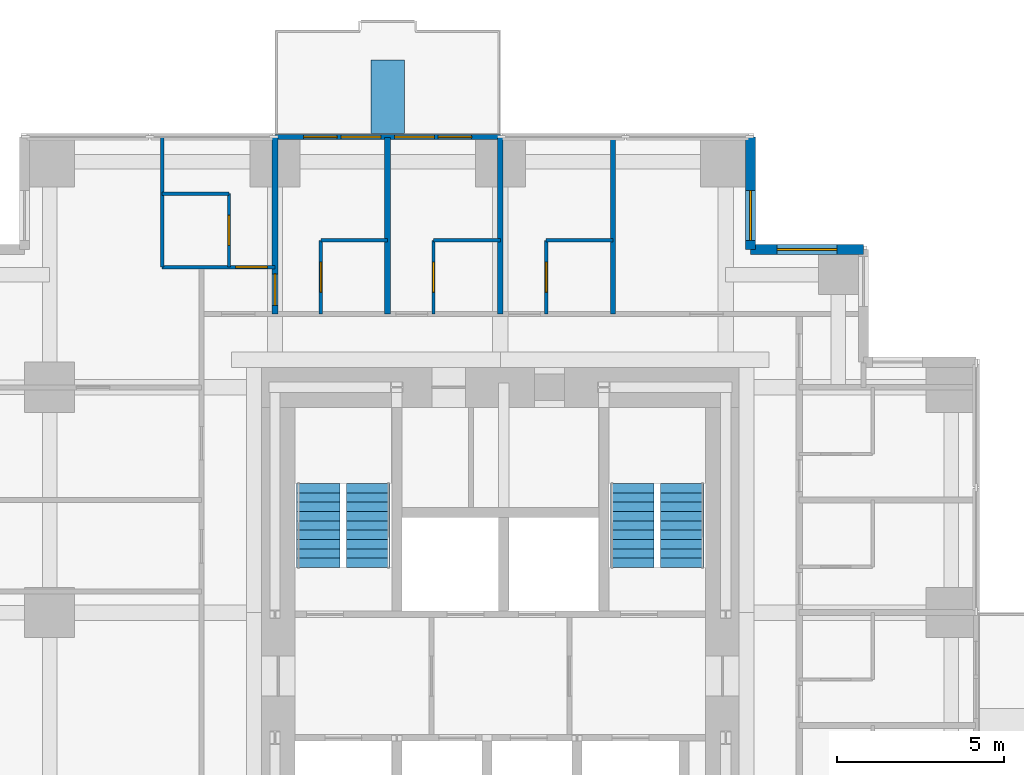
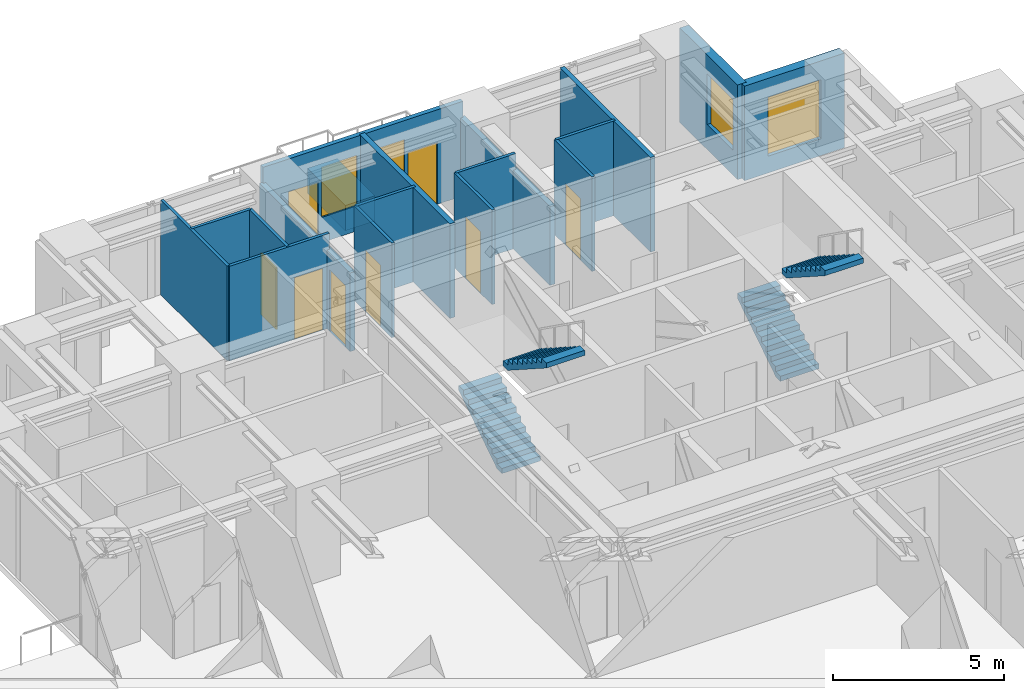
# One storey, part 9 of 10: 18 walls, 8 doors, 4 stair flights, 4 windows, 12 openings, 2 elements without a shape of their own.
"""IFC4 building model written with IfcOpenShell, lengths in metres."""

from ifc_helpers import new_model, si_unit, direction, frame, frame_2d, origin, place, context, subcontext, project, spatial, polyline, rectangle, outline, extrude, material, layer, layer_set, type_object, element, fill, aggregate, save


model = new_model("IFC4")

# Units and contexts
model_context = context("Model", 3, precision=1e-05, world=origin(), true_north=direction((0.0, 1.0)))
body_context = subcontext(model_context, "Body", "Model", "MODEL_VIEW")
ifc_project = project(units=[si_unit("LENGTHUNIT", "METRE"), si_unit("AREAUNIT", "SQUARE_METRE"), si_unit("VOLUMEUNIT", "CUBIC_METRE"), si_unit("PLANEANGLEUNIT", "RADIAN"), si_unit("MASSUNIT", "GRAM", prefix="KILO")], contexts=[model_context])

# Site, building, storey
site_placement = place(None, origin())
site = spatial("IfcSite", under=ifc_project, at=site_placement, CompositionType="ELEMENT")
building_placement = place(site_placement, origin())
building = spatial("IfcBuilding", under=site, at=building_placement, Name="Nyansa Garden Tower", CompositionType="ELEMENT")
storey_placement = place(building_placement, frame((0.0, 0.0, 156.60009765625)))
storey = spatial("IfcBuildingStorey", under=building, at=storey_placement, Name="L42", CompositionType="ELEMENT", Elevation=156.60009765625)

# Wall, opening, door
ifc_material_1 = material(Name="Dense blockwork, plastered both sides, 55 dB", Category="masonry")
ifc_layer_1 = layer(ifc_material_1, 0.175048828125)
ifc_layer_set_1 = layer_set([ifc_layer_1], Name="Acoustic party wall PW175")
wall_type_1 = type_object("IfcWallType", Name="Acoustic party wall PW175", PredefinedType="PARTITIONING", material=ifc_layer_set_1)
wall_1_placement = place(storey_placement, frame((13.5, 29.199951171875, 0.0), z_axis=(0.0, 0.0, 1.0), x_axis=(0.0, 1.0, 0.0)))
wall_1 = element("IfcWall", 1, at=wall_1_placement, inside=storey, type_object=wall_type_1, Name="Party wall", PredefinedType="PARTITIONING", context=body_context, shape_type="SweptSolid", body=[
    extrude(rectangle(XDim=5.283935546875, YDim=0.175048828125, at=frame_2d((2.64208984375, 0.0))), origin(), (0.0, 0.0, 1.0), 2.805908203125),
])
opening_1_placement = place(wall_1_placement, frame((0.25, 0.0, 0.0)))
opening_1 = element("IfcOpeningElement", 2, at=opening_1_placement, cuts=wall_1, Name="Opening D14", PredefinedType="OPENING", context=body_context, shape_type="SweptSolid", body=[
    extrude(rectangle(XDim=0.949951171875, YDim=2.199951171875, at=frame_2d((0.47509765625, 1.10009765625))), frame((0.0, 0.097412109375, 0.0), z_axis=(0.0, -1.0, 0.0), x_axis=(1.0, 0.0, 0.0)), (0.0, 0.0, 1.0), 0.195068359375),
])
ifc_material_2 = material(Name="Timber flush door, 60 minute fire resisting, self-closing", Category="wood")
door_type_1 = type_object("IfcDoorType", Name="Studio entrance door D14 950x2200", OperationType="SINGLE_SWING_LEFT", PredefinedType="DOOR", material=ifc_material_2)
door_1_placement = place(opening_1_placement, origin())
door_1 = element("IfcDoor", 3, at=door_1_placement, inside=storey, type_object=door_type_1, Name="Door L42-042", OperationType="SINGLE_SWING_LEFT", OverallHeight=2.199951171875, OverallWidth=0.949951171875, PredefinedType="DOOR", context=body_context, shape_type="SweptSolid", body=[
    extrude(rectangle(XDim=0.949951171875, YDim=2.199951171875, at=frame_2d((0.47509765625, 1.10009765625))), frame((0.0, 0.02490234375, 0.0), z_axis=(0.0, -1.0, 0.0), x_axis=(1.0, 0.0, 0.0)), (0.0, 0.0, 1.0), 0.050048828125),
])
fill(opening_1, door_1)

# Walls
wall_2_placement = place(storey_placement, frame((16.875, 29.199951171875, 0.0), z_axis=(0.0, 0.0, 1.0), x_axis=(0.0, 1.0, 0.0)))
element("IfcWall", 4, at=wall_2_placement, inside=storey, type_object=wall_type_1, Name="Party wall", PredefinedType="PARTITIONING", context=body_context, shape_type="SweptSolid", body=[
    extrude(rectangle(XDim=5.283935546875, YDim=0.175048828125, at=frame_2d((2.64208984375, 0.0))), origin(), (0.0, 0.0, 1.0), 3.375),
])
wall_3_placement = place(storey_placement, frame((20.25, 29.199951171875, 0.0), z_axis=(0.0, 0.0, 1.0), x_axis=(0.0, 1.0, 0.0)))
element("IfcWall", 5, at=wall_3_placement, inside=storey, type_object=wall_type_1, Name="Party wall", PredefinedType="PARTITIONING", context=body_context, shape_type="SweptSolid", body=[
    extrude(rectangle(XDim=5.283935546875, YDim=0.175048828125, at=frame_2d((2.64208984375, 0.0))), origin(), (0.0, 0.0, 1.0), 2.805908203125),
])

# Wall, openings, doors, windows
ifc_material_3 = material(Name="Black aluminium framed glazed screen", Category="aluminium")
ifc_layer_2 = layer(ifc_material_3, 0.14990234375)
ifc_layer_set_2 = layer_set([ifc_layer_2], Name="Balcony screen wall BW150")
wall_type_2 = type_object("IfcWallType", Name="Balcony screen wall BW150", PredefinedType="SOLIDWALL", material=ifc_layer_set_2)
wall_4_placement = place(storey_placement, frame((13.5, 34.5, 0.0), z_axis=(0.0, 0.0, 1.0), x_axis=(1.0, 0.0, 0.0)))
wall_4 = element("IfcWall", 6, at=wall_4_placement, inside=storey, type_object=wall_type_2, Name="Glazed screen wall L42 N", PredefinedType="SOLIDWALL", context=body_context, shape_type="SweptSolid", body=[
    extrude(rectangle(XDim=6.75, YDim=0.14990234375, at=frame_2d((3.375, 0.0))), origin(), (0.0, 0.0, 1.0), 3.375),
])
opening_2_placement = place(wall_4_placement, frame((0.862548828125, 0.0, 0.0)))
opening_2 = element("IfcOpeningElement", 7, at=opening_2_placement, cuts=wall_4, Name="Opening D20", PredefinedType="OPENING", context=body_context, shape_type="SweptSolid", body=[
    extrude(rectangle(XDim=1.0, YDim=2.199951171875, at=frame_2d((0.5, 1.10009765625))), frame((0.0, 0.0849609375, 0.0), z_axis=(0.0, -1.0, 0.0), x_axis=(1.0, 0.0, 0.0)), (0.0, 0.0, 1.0), 0.169921875),
])
opening_3_placement = place(wall_4_placement, frame((1.97509765625, 0.0, 0.89990234375)))
opening_3 = element("IfcOpeningElement", 8, at=opening_3_placement, cuts=wall_4, Name="Opening W6", PredefinedType="OPENING", context=body_context, shape_type="SweptSolid", body=[
    extrude(rectangle(XDim=1.199951171875, YDim=1.800048828125, at=frame_2d((0.60009765625, 0.89990234375))), frame((0.0, 0.0849609375, 0.0), z_axis=(0.0, -1.0, 0.0), x_axis=(1.0, 0.0, 0.0)), (0.0, 0.0, 1.0), 0.169921875),
])
opening_4_placement = place(wall_4_placement, frame((4.887451171875, 0.0, 0.0)))
opening_4 = element("IfcOpeningElement", 9, at=opening_4_placement, cuts=wall_4, Name="Opening D20", PredefinedType="OPENING", context=body_context, shape_type="SweptSolid", body=[
    extrude(rectangle(XDim=1.0, YDim=2.199951171875, at=frame_2d((0.5, 1.10009765625))), frame((0.0, 0.0849609375, 0.0), z_axis=(0.0, -1.0, 0.0), x_axis=(1.0, 0.0, 0.0)), (0.0, 0.0, 1.0), 0.169921875),
])
opening_5_placement = place(wall_4_placement, frame((3.574951171875, 0.0, 0.89990234375)))
opening_5 = element("IfcOpeningElement", 10, at=opening_5_placement, cuts=wall_4, Name="Opening W6", PredefinedType="OPENING", context=body_context, shape_type="SweptSolid", body=[
    extrude(rectangle(XDim=1.199951171875, YDim=1.800048828125, at=frame_2d((0.60009765625, 0.89990234375))), frame((0.0, 0.0849609375, 0.0), z_axis=(0.0, -1.0, 0.0), x_axis=(1.0, 0.0, 0.0)), (0.0, 0.0, 1.0), 0.169921875),
])
ifc_material_4 = material(Name="Black aluminium framed glazed door", Category="aluminium")
door_type_2 = type_object("IfcDoorType", Name="Balcony door D20 1000x2200", OperationType="NOTDEFINED", PredefinedType="DOOR", material=ifc_material_4)
door_2_placement = place(opening_2_placement, origin())
door_2 = element("IfcDoor", 11, at=door_2_placement, inside=storey, type_object=door_type_2, Name="Balcony door L42", OperationType="SINGLE_SWING_LEFT", OverallHeight=2.199951171875, OverallWidth=1.0, PredefinedType="DOOR", context=body_context, shape_type="SweptSolid", body=[
    extrude(rectangle(XDim=1.0, YDim=2.199951171875, at=frame_2d((0.5, 1.10009765625))), frame((0.0, 0.02490234375, 0.0), z_axis=(0.0, -1.0, 0.0), x_axis=(1.0, 0.0, 0.0)), (0.0, 0.0, 1.0), 0.050048828125),
])
fill(opening_2, door_2)
door_3_placement = place(opening_4_placement, origin())
door_3 = element("IfcDoor", 12, at=door_3_placement, inside=storey, type_object=door_type_2, Name="Balcony door L42", OperationType="SINGLE_SWING_RIGHT", OverallHeight=2.199951171875, OverallWidth=1.0, PredefinedType="DOOR", context=body_context, shape_type="SweptSolid", body=[
    extrude(rectangle(XDim=1.0, YDim=2.199951171875, at=frame_2d((0.5, 1.10009765625))), frame((0.0, 0.02490234375, 0.0), z_axis=(0.0, -1.0, 0.0), x_axis=(1.0, 0.0, 0.0)), (0.0, 0.0, 1.0), 0.050048828125),
])
fill(opening_4, door_3)
ifc_material_5 = material(Name="Black aluminium frame, dark tinted double glazing", Category="aluminium")
window_type_1 = type_object("IfcWindowType", Name="Balcony window W6 1200x1800", PartitioningType="SINGLE_PANEL", PredefinedType="WINDOW", material=ifc_material_5)
window_1_placement = place(opening_3_placement, origin())
window_1 = element("IfcWindow", 13, at=window_1_placement, inside=storey, type_object=window_type_1, Name="Window L42", OverallHeight=1.800048828125, OverallWidth=1.199951171875, PartitioningType="SINGLE_PANEL", PredefinedType="WINDOW", context=body_context, shape_type="SweptSolid", body=[
    extrude(rectangle(XDim=1.199951171875, YDim=1.800048828125, at=frame_2d((0.60009765625, 0.89990234375))), frame((0.0, 0.030029296875, 0.0), z_axis=(0.0, -1.0, 0.0), x_axis=(1.0, 0.0, 0.0)), (0.0, 0.0, 1.0), 0.06005859375),
])
fill(opening_3, window_1)
window_2_placement = place(opening_5_placement, origin())
window_2 = element("IfcWindow", 14, at=window_2_placement, inside=storey, type_object=window_type_1, Name="Window L42", OverallHeight=1.800048828125, OverallWidth=1.199951171875, PartitioningType="SINGLE_PANEL", PredefinedType="WINDOW", context=body_context, shape_type="SweptSolid", body=[
    extrude(rectangle(XDim=1.199951171875, YDim=1.800048828125, at=frame_2d((0.60009765625, 0.89990234375))), frame((0.0, 0.030029296875, 0.0), z_axis=(0.0, -1.0, 0.0), x_axis=(1.0, 0.0, 0.0)), (0.0, 0.0, 1.0), 0.06005859375),
])
fill(opening_5, window_2)

# Wall
ifc_material_6 = material(Name="Blockwork, plastered both sides", Category="masonry")
ifc_layer_3 = layer(ifc_material_6, 0.14990234375)
ifc_layer_set_3 = layer_set([ifc_layer_3], Name="Partition PW150")
wall_type_3 = type_object("IfcWallType", Name="Partition PW150", PredefinedType="PARTITIONING", material=ifc_layer_set_3)
wall_5_placement = place(storey_placement, frame((23.625, 29.199951171875, 0.0), z_axis=(0.0, 0.0, 1.0), x_axis=(0.0, 1.0, 0.0)))
element("IfcWall", 15, at=wall_5_placement, inside=storey, type_object=wall_type_3, Name="Partition", PredefinedType="PARTITIONING", context=body_context, shape_type="SweptSolid", body=[
    extrude(rectangle(XDim=5.283935546875, YDim=0.14990234375, at=frame_2d((2.64208984375, 0.0))), origin(), (0.0, 0.0, 1.0), 3.375),
])

# Wall, opening, window
ifc_material_7 = material(Name="Turquoise glazed tile on concrete blockwork", Category="masonry")
ifc_layer_4 = layer(ifc_material_7, 0.300048828125)
ifc_layer_set_4 = layer_set([ifc_layer_4], Name="Tiled corner wall TW300")
wall_type_4 = type_object("IfcWallType", Name="Tiled corner wall TW300", PredefinedType="SOLIDWALL", material=ifc_layer_set_4)
wall_6_placement = place(storey_placement, frame((31.125, 31.125, 0.0), z_axis=(0.0, 0.0, 1.0), x_axis=(-1.0, 0.0, 0.0)))
wall_6 = element("IfcWall", 16, at=wall_6_placement, inside=storey, type_object=wall_type_4, Name="Tiled corner wall L42", PredefinedType="SOLIDWALL", context=body_context, shape_type="SweptSolid", body=[
    extrude(rectangle(XDim=3.375, YDim=0.300048828125, at=frame_2d((1.6875, 0.0))), origin(), (0.0, 0.0, 1.0), 3.375),
])
opening_6_placement = place(wall_6_placement, frame((0.78759765625, 0.0, 0.60009765625)))
opening_6 = element("IfcOpeningElement", 17, at=opening_6_placement, cuts=wall_6, Name="Opening W2", PredefinedType="OPENING", context=body_context, shape_type="SweptSolid", body=[
    extrude(rectangle(XDim=1.800048828125, YDim=2.10009765625, at=frame_2d((0.89990234375, 1.050048828125))), frame((0.0, 0.159912109375, 0.0), z_axis=(0.0, -1.0, 0.0), x_axis=(1.0, 0.0, 0.0)), (0.0, 0.0, 1.0), 0.320068359375),
])
ifc_material_8 = material(Name="Black aluminium frame, dark tinted double glazing", Category="aluminium")
window_type_2 = type_object("IfcWindowType", Name="Window W2 1800x2100", PartitioningType="SINGLE_PANEL", PredefinedType="WINDOW", material=ifc_material_8)
window_3_placement = place(opening_6_placement, origin())
window_3 = element("IfcWindow", 18, at=window_3_placement, inside=storey, type_object=window_type_2, Name="Corner window L42", OverallHeight=2.10009765625, OverallWidth=1.800048828125, PartitioningType="SINGLE_PANEL", PredefinedType="WINDOW", context=body_context, shape_type="SweptSolid", body=[
    extrude(rectangle(XDim=1.800048828125, YDim=2.10009765625, at=frame_2d((0.89990234375, 1.050048828125))), frame((0.0, 0.030029296875, 0.0), z_axis=(0.0, -1.0, 0.0), x_axis=(1.0, 0.0, 0.0)), (0.0, 0.0, 1.0), 0.06005859375),
])
fill(opening_6, window_3)

wall_7_placement = place(storey_placement, frame((27.75, 31.125, 0.0), z_axis=(0.0, 0.0, 1.0), x_axis=(0.0, 1.0, 0.0)))
wall_7 = element("IfcWall", 19, at=wall_7_placement, inside=storey, type_object=wall_type_4, Name="Tiled corner wall L42", PredefinedType="SOLIDWALL", context=body_context, shape_type="SweptSolid", body=[
    extrude(rectangle(XDim=3.375, YDim=0.300048828125, at=frame_2d((1.6875, 0.0))), origin(), (0.0, 0.0, 1.0), 3.375),
])
opening_7_placement = place(wall_7_placement, frame((0.267578125, 0.0, 0.89990234375)))
opening_7 = element("IfcOpeningElement", 20, at=opening_7_placement, cuts=wall_7, Name="Opening W1", PredefinedType="OPENING", context=body_context, shape_type="SweptSolid", body=[
    extrude(rectangle(XDim=1.5, YDim=1.800048828125, at=frame_2d((0.75, 0.89990234375))), frame((0.0, 0.159912109375, 0.0), z_axis=(0.0, -1.0, 0.0), x_axis=(1.0, 0.0, 0.0)), (0.0, 0.0, 1.0), 0.320068359375),
])
ifc_material_9 = material(Name="Black aluminium frame, dark tinted double glazing", Category="aluminium")
window_type_3 = type_object("IfcWindowType", Name="Window W1 1500x1800", PartitioningType="SINGLE_PANEL", PredefinedType="WINDOW", material=ifc_material_9)
window_4_placement = place(opening_7_placement, origin())
window_4 = element("IfcWindow", 21, at=window_4_placement, inside=storey, type_object=window_type_3, Name="Corner window L42", OverallHeight=1.800048828125, OverallWidth=1.5, PartitioningType="SINGLE_PANEL", PredefinedType="WINDOW", context=body_context, shape_type="SweptSolid", body=[
    extrude(rectangle(XDim=1.5, YDim=1.800048828125, at=frame_2d((0.75, 0.89990234375))), frame((0.0, 0.030029296875, 0.0), z_axis=(0.0, -1.0, 0.0), x_axis=(1.0, 0.0, 0.0)), (0.0, 0.0, 1.0), 0.06005859375),
])
fill(opening_7, window_4)

# Walls
ifc_material_10 = material(Name="Concrete C40/50 planter, waterproofed", Category="concrete")
ifc_layer_5 = layer(ifc_material_10, 1.0)
ifc_layer_set_5 = layer_set([ifc_layer_5], Name="Tree planter TP1")
wall_type_5 = type_object("IfcWallType", Name="Tree planter TP1", PredefinedType="USERDEFINED", material=ifc_layer_set_5)
wall_8_placement = place(storey_placement, frame((16.875, 34.60009765625, 0.0), z_axis=(0.0, 0.0, 1.0), x_axis=(0.0, 1.0, 0.0)))
element("IfcWall", 22, at=wall_8_placement, inside=storey, type_object=wall_type_5, Name="Tree planter L42", ObjectType="TREE PLANTER", PredefinedType="USERDEFINED", context=body_context, shape_type="SweptSolid", body=[
    extrude(rectangle(XDim=2.199951171875, YDim=1.0, at=frame_2d((1.10009765625, 0.0))), origin(), (0.0, 0.0, 1.0), 0.89990234375),
])
ifc_material_11 = material(Name="Moisture resistant board on steel studs, tiled", Category="steel")
ifc_layer_6 = layer(ifc_material_11, 0.10009765625)
ifc_layer_set_6 = layer_set([ifc_layer_6], Name="Wet wall PW100")
wall_type_6 = type_object("IfcWallType", Name="Wet wall PW100", PredefinedType="PARTITIONING", material=ifc_layer_set_6)
wall_9_placement = place(storey_placement, frame((10.125, 30.60009765625, 0.0), z_axis=(0.0, 0.0, 1.0), x_axis=(0.0, 1.0, 0.0)))
element("IfcWall", 23, at=wall_9_placement, inside=storey, type_object=wall_type_6, Name="Wet wall", PredefinedType="PARTITIONING", context=body_context, shape_type="SweptSolid", body=[
    extrude(rectangle(XDim=3.8837890625, YDim=0.10009765625, at=frame_2d((1.94189453125, 0.0))), origin(), (0.0, 0.0, 1.0), 3.375),
])

# Wall, opening, door
wall_10_placement = place(storey_placement, frame((10.125, 30.60009765625, 0.0), z_axis=(0.0, 0.0, 1.0), x_axis=(1.0, 0.0, 0.0)))
wall_10 = element("IfcWall", 24, at=wall_10_placement, inside=storey, type_object=wall_type_6, Name="Wet wall", PredefinedType="PARTITIONING", context=body_context, shape_type="SweptSolid", body=[
    extrude(rectangle(XDim=3.375, YDim=0.10009765625, at=frame_2d((1.6875, 0.0))), origin(), (0.0, 0.0, 1.0), 3.375),
])
opening_8_placement = place(wall_10_placement, frame((2.199951171875, 0.0, 0.0)))
opening_8 = element("IfcOpeningElement", 25, at=opening_8_placement, cuts=wall_10, Name="Opening D14", PredefinedType="OPENING", context=body_context, shape_type="SweptSolid", body=[
    extrude(rectangle(XDim=0.949951171875, YDim=2.199951171875, at=frame_2d((0.47509765625, 1.10009765625))), frame((0.0, 0.06005859375, 0.0), z_axis=(0.0, -1.0, 0.0), x_axis=(1.0, 0.0, 0.0)), (0.0, 0.0, 1.0), 0.1201171875),
])
door_4_placement = place(opening_8_placement, origin())
door_4 = element("IfcDoor", 26, at=door_4_placement, inside=storey, type_object=door_type_1, Name="Door L42-040", OperationType="SINGLE_SWING_LEFT", OverallHeight=2.199951171875, OverallWidth=0.949951171875, PredefinedType="DOOR", context=body_context, shape_type="SweptSolid", body=[
    extrude(rectangle(XDim=0.949951171875, YDim=2.199951171875, at=frame_2d((0.47509765625, 1.10009765625))), frame((0.0, 0.02490234375, 0.0), z_axis=(0.0, -1.0, 0.0), x_axis=(1.0, 0.0, 0.0)), (0.0, 0.0, 1.0), 0.050048828125),
])
fill(opening_8, door_4)

# Wall
wall_11_placement = place(storey_placement, frame((10.125, 32.800048828125, 0.0), z_axis=(0.0, 0.0, 1.0), x_axis=(1.0, 0.0, 0.0)))
element("IfcWall", 27, at=wall_11_placement, inside=storey, type_object=wall_type_6, Name="Wet wall", PredefinedType="PARTITIONING", context=body_context, shape_type="SweptSolid", body=[
    extrude(rectangle(XDim=2.0, YDim=0.10009765625, at=frame_2d((1.0, 0.0))), origin(), (0.0, 0.0, 1.0), 3.375),
])

# Wall, opening, door
wall_12_placement = place(storey_placement, frame((12.125, 30.60009765625, 0.0), z_axis=(0.0, 0.0, 1.0), x_axis=(0.0, 1.0, 0.0)))
wall_12 = element("IfcWall", 28, at=wall_12_placement, inside=storey, type_object=wall_type_6, Name="Wet wall", PredefinedType="PARTITIONING", context=body_context, shape_type="SweptSolid", body=[
    extrude(rectangle(XDim=2.199951171875, YDim=0.10009765625, at=frame_2d((1.10009765625, 0.0))), origin(), (0.0, 0.0, 1.0), 3.375),
])
opening_9_placement = place(wall_12_placement, frame((0.64990234375, 0.0, 0.0)))
opening_9 = element("IfcOpeningElement", 29, at=opening_9_placement, cuts=wall_12, Name="Opening D02", PredefinedType="OPENING", context=body_context, shape_type="SweptSolid", body=[
    extrude(rectangle(XDim=0.89990234375, YDim=2.199951171875, at=frame_2d((0.449951171875, 1.10009765625))), frame((0.0, 0.06005859375, 0.0), z_axis=(0.0, -1.0, 0.0), x_axis=(1.0, 0.0, 0.0)), (0.0, 0.0, 1.0), 0.1201171875),
])
ifc_material_12 = material(Name="Timber flush door", Category="wood")
door_type_3 = type_object("IfcDoorType", Name="En-suite door D02 900x2200", OperationType="SINGLE_SWING_RIGHT", PredefinedType="DOOR", material=ifc_material_12)
door_5_placement = place(opening_9_placement, origin())
door_5 = element("IfcDoor", 30, at=door_5_placement, inside=storey, type_object=door_type_3, Name="Door L42-041", OperationType="SINGLE_SWING_RIGHT", OverallHeight=2.199951171875, OverallWidth=0.89990234375, PredefinedType="DOOR", context=body_context, shape_type="SweptSolid", body=[
    extrude(rectangle(XDim=0.89990234375, YDim=2.199951171875, at=frame_2d((0.449951171875, 1.10009765625))), frame((0.0, 0.02490234375, 0.0), z_axis=(0.0, -1.0, 0.0), x_axis=(1.0, 0.0, 0.0)), (0.0, 0.0, 1.0), 0.050048828125),
])
fill(opening_9, door_5)

wall_13_placement = place(storey_placement, frame((14.875, 29.199951171875, 0.0), z_axis=(0.0, 0.0, 1.0), x_axis=(0.0, 1.0, 0.0)))
wall_13 = element("IfcWall", 31, at=wall_13_placement, inside=storey, type_object=wall_type_6, Name="Wet wall", PredefinedType="PARTITIONING", context=body_context, shape_type="SweptSolid", body=[
    extrude(rectangle(XDim=2.199951171875, YDim=0.10009765625, at=frame_2d((1.10009765625, 0.0))), origin(), (0.0, 0.0, 1.0), 3.375),
])
opening_10_placement = place(wall_13_placement, frame((0.64990234375, 0.0, 0.0)))
opening_10 = element("IfcOpeningElement", 32, at=opening_10_placement, cuts=wall_13, Name="Opening D02", PredefinedType="OPENING", context=body_context, shape_type="SweptSolid", body=[
    extrude(rectangle(XDim=0.89990234375, YDim=2.199951171875, at=frame_2d((0.449951171875, 1.10009765625))), frame((0.0, 0.06005859375, 0.0), z_axis=(0.0, -1.0, 0.0), x_axis=(1.0, 0.0, 0.0)), (0.0, 0.0, 1.0), 0.1201171875),
])
door_6_placement = place(opening_10_placement, origin())
door_6 = element("IfcDoor", 33, at=door_6_placement, inside=storey, type_object=door_type_3, Name="Door L42-043", OperationType="SINGLE_SWING_RIGHT", OverallHeight=2.199951171875, OverallWidth=0.89990234375, PredefinedType="DOOR", context=body_context, shape_type="SweptSolid", body=[
    extrude(rectangle(XDim=0.89990234375, YDim=2.199951171875, at=frame_2d((0.449951171875, 1.10009765625))), frame((0.0, 0.02490234375, 0.0), z_axis=(0.0, -1.0, 0.0), x_axis=(1.0, 0.0, 0.0)), (0.0, 0.0, 1.0), 0.050048828125),
])
fill(opening_10, door_6)

# Wall
wall_14_placement = place(storey_placement, frame((14.875, 31.39990234375, 0.0), z_axis=(0.0, 0.0, 1.0), x_axis=(1.0, 0.0, 0.0)))
element("IfcWall", 34, at=wall_14_placement, inside=storey, type_object=wall_type_6, Name="Wet wall", PredefinedType="PARTITIONING", context=body_context, shape_type="SweptSolid", body=[
    extrude(rectangle(XDim=2.0, YDim=0.10009765625, at=frame_2d((1.0, 0.0))), origin(), (0.0, 0.0, 1.0), 3.375),
])

# Wall, opening, door
wall_15_placement = place(storey_placement, frame((18.25, 29.199951171875, 0.0), z_axis=(0.0, 0.0, 1.0), x_axis=(0.0, 1.0, 0.0)))
wall_15 = element("IfcWall", 35, at=wall_15_placement, inside=storey, type_object=wall_type_6, Name="Wet wall", PredefinedType="PARTITIONING", context=body_context, shape_type="SweptSolid", body=[
    extrude(rectangle(XDim=2.199951171875, YDim=0.10009765625, at=frame_2d((1.10009765625, 0.0))), origin(), (0.0, 0.0, 1.0), 3.375),
])
opening_11_placement = place(wall_15_placement, frame((0.64990234375, 0.0, 0.0)))
opening_11 = element("IfcOpeningElement", 36, at=opening_11_placement, cuts=wall_15, Name="Opening D02", PredefinedType="OPENING", context=body_context, shape_type="SweptSolid", body=[
    extrude(rectangle(XDim=0.89990234375, YDim=2.199951171875, at=frame_2d((0.449951171875, 1.10009765625))), frame((0.0, 0.06005859375, 0.0), z_axis=(0.0, -1.0, 0.0), x_axis=(1.0, 0.0, 0.0)), (0.0, 0.0, 1.0), 0.1201171875),
])
door_7_placement = place(opening_11_placement, origin())
door_7 = element("IfcDoor", 37, at=door_7_placement, inside=storey, type_object=door_type_3, Name="Door L42-045", OperationType="SINGLE_SWING_RIGHT", OverallHeight=2.199951171875, OverallWidth=0.89990234375, PredefinedType="DOOR", context=body_context, shape_type="SweptSolid", body=[
    extrude(rectangle(XDim=0.89990234375, YDim=2.199951171875, at=frame_2d((0.449951171875, 1.10009765625))), frame((0.0, 0.02490234375, 0.0), z_axis=(0.0, -1.0, 0.0), x_axis=(1.0, 0.0, 0.0)), (0.0, 0.0, 1.0), 0.050048828125),
])
fill(opening_11, door_7)

# Wall
wall_16_placement = place(storey_placement, frame((18.25, 31.39990234375, 0.0), z_axis=(0.0, 0.0, 1.0), x_axis=(1.0, 0.0, 0.0)))
element("IfcWall", 38, at=wall_16_placement, inside=storey, type_object=wall_type_6, Name="Wet wall", PredefinedType="PARTITIONING", context=body_context, shape_type="SweptSolid", body=[
    extrude(rectangle(XDim=2.0, YDim=0.10009765625, at=frame_2d((1.0, 0.0))), origin(), (0.0, 0.0, 1.0), 3.375),
])

# Wall, opening, door
wall_17_placement = place(storey_placement, frame((21.625, 29.199951171875, 0.0), z_axis=(0.0, 0.0, 1.0), x_axis=(0.0, 1.0, 0.0)))
wall_17 = element("IfcWall", 39, at=wall_17_placement, inside=storey, type_object=wall_type_6, Name="Wet wall", PredefinedType="PARTITIONING", context=body_context, shape_type="SweptSolid", body=[
    extrude(rectangle(XDim=2.199951171875, YDim=0.10009765625, at=frame_2d((1.10009765625, 0.0))), origin(), (0.0, 0.0, 1.0), 3.375),
])
opening_12_placement = place(wall_17_placement, frame((0.64990234375, 0.0, 0.0)))
opening_12 = element("IfcOpeningElement", 40, at=opening_12_placement, cuts=wall_17, Name="Opening D02", PredefinedType="OPENING", context=body_context, shape_type="SweptSolid", body=[
    extrude(rectangle(XDim=0.89990234375, YDim=2.199951171875, at=frame_2d((0.449951171875, 1.10009765625))), frame((0.0, 0.06005859375, 0.0), z_axis=(0.0, -1.0, 0.0), x_axis=(1.0, 0.0, 0.0)), (0.0, 0.0, 1.0), 0.1201171875),
])
door_8_placement = place(opening_12_placement, origin())
door_8 = element("IfcDoor", 41, at=door_8_placement, inside=storey, type_object=door_type_3, Name="Door L42-047", OperationType="SINGLE_SWING_RIGHT", OverallHeight=2.199951171875, OverallWidth=0.89990234375, PredefinedType="DOOR", context=body_context, shape_type="SweptSolid", body=[
    extrude(rectangle(XDim=0.89990234375, YDim=2.199951171875, at=frame_2d((0.449951171875, 1.10009765625))), frame((0.0, 0.02490234375, 0.0), z_axis=(0.0, -1.0, 0.0), x_axis=(1.0, 0.0, 0.0)), (0.0, 0.0, 1.0), 0.050048828125),
])
fill(opening_12, door_8)

# Wall
wall_18_placement = place(storey_placement, frame((21.625, 31.39990234375, 0.0), z_axis=(0.0, 0.0, 1.0), x_axis=(1.0, 0.0, 0.0)))
element("IfcWall", 42, at=wall_18_placement, inside=storey, type_object=wall_type_6, Name="Wet wall", PredefinedType="PARTITIONING", context=body_context, shape_type="SweptSolid", body=[
    extrude(rectangle(XDim=2.0, YDim=0.10009765625, at=frame_2d((1.0, 0.0))), origin(), (0.0, 0.0, 1.0), 3.375),
])

# Stair, stair flights
ifc_material_13 = material(Name="Precast concrete C40/50", Category="concrete")
stair_type_1 = type_object("IfcStairType", Name="Stair S1 180x280", PredefinedType="HALF_TURN_STAIR", material=ifc_material_13)
stair_1_placement = place(storey_placement, origin())
stair_1 = element("IfcStair", 43, at=stair_1_placement, inside=storey, type_object=stair_type_1, Name="Stair S1 L42", PredefinedType="HALF_TURN_STAIR")
ifc_material_14 = material(Name="Precast concrete C40/50", Category="concrete")
stair_flight_type_1 = type_object("IfcStairFlightType", Name="Stair flight S1 180x280x10", PredefinedType="STRAIGHT", material=ifc_material_14)
stair_flight_1_placement = place(storey_placement, frame((14.800048828125, 21.60009765625, 0.0), z_axis=(0.0, 0.0, 1.0), x_axis=(0.0, 1.0, 0.0)))
stair_flight_1 = element("IfcStairFlight", 44, at=stair_flight_1_placement, type_object=stair_flight_type_1, Name="S1 flight 1", NumberOfRisers=10, NumberOfTreads=9, PredefinedType="STRAIGHT", RiserHeight=0.18, TreadLength=0.28, context=body_context, shape_type="SweptSolid", body=[
    extrude(outline(polyline([(0.0, 0.0), (0.0, 0.179931640625), (0.280029296875, 0.179931640625), (0.280029296875, 0.360107421875), (0.56005859375, 0.360107421875), (0.56005859375, 0.5400390625), (0.840087890625, 0.5400390625), (0.840087890625, 0.719970703125), (1.1201171875, 0.719970703125), (1.1201171875, 0.89990234375), (1.39990234375, 0.89990234375), (1.39990234375, 1.080078125), (1.679931640625, 1.080078125), (1.679931640625, 1.260009765625), (1.9599609375, 1.260009765625), (1.9599609375, 1.43994140625), (2.239990234375, 1.43994140625), (2.239990234375, 1.6201171875), (2.52001953125, 1.6201171875), (2.52001953125, 1.800048828125), (2.52001953125, 1.44189453125), (0.277099609375, 0.0), (0.0, 0.0)])), frame((0.0, 0.64990234375, 0.0), z_axis=(0.0, -1.0, 0.0), x_axis=(1.0, 0.0, 0.0)), (0.0, 0.0, 1.0), 1.300048828125),
])
stair_flight_2_placement = place(storey_placement, frame((16.300048828125, 24.1201171875, 1.7998046875), z_axis=(0.0, 0.0, 1.0), x_axis=(0.0, -1.0, 0.0)))
stair_flight_2 = element("IfcStairFlight", 45, at=stair_flight_2_placement, type_object=stair_flight_type_1, Name="S1 flight 2", NumberOfRisers=10, NumberOfTreads=9, PredefinedType="STRAIGHT", RiserHeight=0.18, TreadLength=0.28, context=body_context, shape_type="SweptSolid", body=[
    extrude(outline(polyline([(0.0, 0.0), (0.0, 0.179931640625), (0.280029296875, 0.179931640625), (0.280029296875, 0.360107421875), (0.56005859375, 0.360107421875), (0.56005859375, 0.5400390625), (0.840087890625, 0.5400390625), (0.840087890625, 0.719970703125), (1.1201171875, 0.719970703125), (1.1201171875, 0.89990234375), (1.39990234375, 0.89990234375), (1.39990234375, 1.080078125), (1.679931640625, 1.080078125), (1.679931640625, 1.260009765625), (1.9599609375, 1.260009765625), (1.9599609375, 1.43994140625), (2.239990234375, 1.43994140625), (2.239990234375, 1.6201171875), (2.52001953125, 1.6201171875), (2.52001953125, 1.800048828125), (2.52001953125, 1.44189453125), (0.277099609375, 0.0), (0.0, 0.0)])), frame((0.0, 0.64990234375, 0.0), z_axis=(0.0, -1.0, 0.0), x_axis=(1.0, 0.0, 0.0)), (0.0, 0.0, 1.0), 1.300048828125),
])
aggregate(stair_1, [stair_flight_1, stair_flight_2])

ifc_material_15 = material(Name="Precast concrete C40/50", Category="concrete")
stair_type_2 = type_object("IfcStairType", Name="Stair S2 180x280", PredefinedType="HALF_TURN_STAIR", material=ifc_material_15)
stair_2_placement = place(storey_placement, origin())
stair_2 = element("IfcStair", 46, at=stair_2_placement, inside=storey, type_object=stair_type_2, Name="Stair S2 L42", PredefinedType="HALF_TURN_STAIR")
ifc_material_16 = material(Name="Precast concrete C40/50", Category="concrete")
stair_flight_type_2 = type_object("IfcStairFlightType", Name="Stair flight S2 180x280x10", PredefinedType="STRAIGHT", material=ifc_material_16)
stair_flight_3_placement = place(storey_placement, frame((24.199951171875, 21.60009765625, 0.0), z_axis=(0.0, 0.0, 1.0), x_axis=(0.0, 1.0, 0.0)))
stair_flight_3 = element("IfcStairFlight", 47, at=stair_flight_3_placement, type_object=stair_flight_type_2, Name="S2 flight 1", NumberOfRisers=10, NumberOfTreads=9, PredefinedType="STRAIGHT", RiserHeight=0.18, TreadLength=0.28, context=body_context, shape_type="SweptSolid", body=[
    extrude(outline(polyline([(0.0, 0.0), (0.0, 0.179931640625), (0.280029296875, 0.179931640625), (0.280029296875, 0.360107421875), (0.56005859375, 0.360107421875), (0.56005859375, 0.5400390625), (0.840087890625, 0.5400390625), (0.840087890625, 0.719970703125), (1.1201171875, 0.719970703125), (1.1201171875, 0.89990234375), (1.39990234375, 0.89990234375), (1.39990234375, 1.080078125), (1.679931640625, 1.080078125), (1.679931640625, 1.260009765625), (1.9599609375, 1.260009765625), (1.9599609375, 1.43994140625), (2.239990234375, 1.43994140625), (2.239990234375, 1.6201171875), (2.52001953125, 1.6201171875), (2.52001953125, 1.800048828125), (2.52001953125, 1.44189453125), (0.277099609375, 0.0), (0.0, 0.0)])), frame((0.0, 0.64990234375, 0.0), z_axis=(0.0, -1.0, 0.0), x_axis=(1.0, 0.0, 0.0)), (0.0, 0.0, 1.0), 1.300048828125),
])
stair_flight_4_placement = place(storey_placement, frame((25.699951171875, 24.1201171875, 1.7998046875), z_axis=(0.0, 0.0, 1.0), x_axis=(0.0, -1.0, 0.0)))
stair_flight_4 = element("IfcStairFlight", 48, at=stair_flight_4_placement, type_object=stair_flight_type_2, Name="S2 flight 2", NumberOfRisers=10, NumberOfTreads=9, PredefinedType="STRAIGHT", RiserHeight=0.18, TreadLength=0.28, context=body_context, shape_type="SweptSolid", body=[
    extrude(outline(polyline([(0.0, 0.0), (0.0, 0.179931640625), (0.280029296875, 0.179931640625), (0.280029296875, 0.360107421875), (0.56005859375, 0.360107421875), (0.56005859375, 0.5400390625), (0.840087890625, 0.5400390625), (0.840087890625, 0.719970703125), (1.1201171875, 0.719970703125), (1.1201171875, 0.89990234375), (1.39990234375, 0.89990234375), (1.39990234375, 1.080078125), (1.679931640625, 1.080078125), (1.679931640625, 1.260009765625), (1.9599609375, 1.260009765625), (1.9599609375, 1.43994140625), (2.239990234375, 1.43994140625), (2.239990234375, 1.6201171875), (2.52001953125, 1.6201171875), (2.52001953125, 1.800048828125), (2.52001953125, 1.44189453125), (0.277099609375, 0.0), (0.0, 0.0)])), frame((0.0, 0.64990234375, 0.0), z_axis=(0.0, -1.0, 0.0), x_axis=(1.0, 0.0, 0.0)), (0.0, 0.0, 1.0), 1.300048828125),
])
aggregate(stair_2, [stair_flight_3, stair_flight_4])

save(model, "model.ifc")
